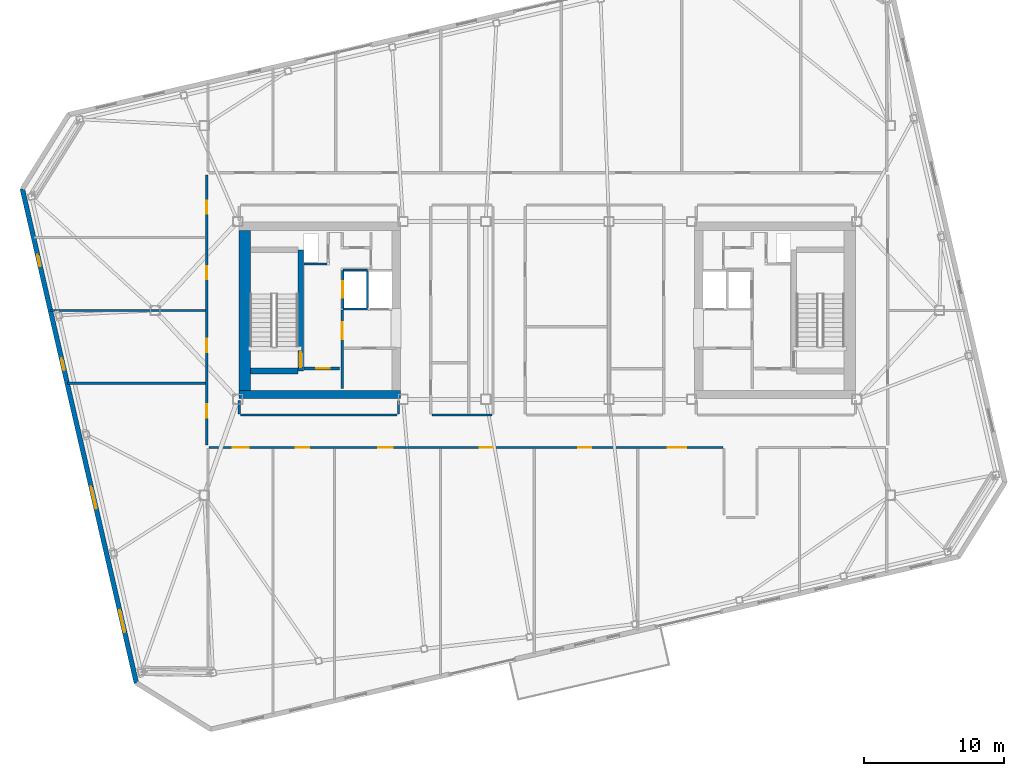
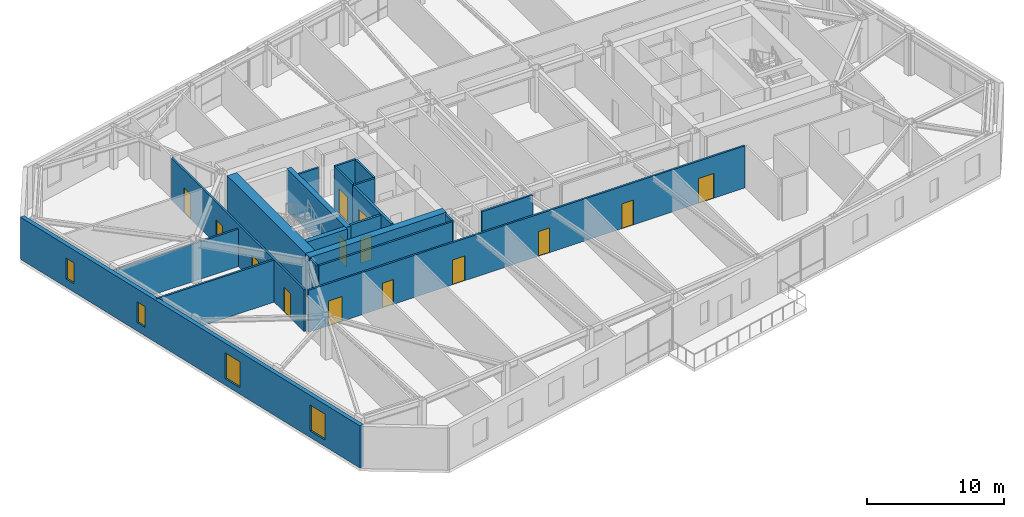
# One storey, part 16 of 24: 20 walls, 14 doors, 4 windows, 18 openings.
"""IFC4 building model written with IfcOpenShell, lengths in metres."""

from ifc_helpers import new_model, si_unit, direction, frame, frame_2d, origin, place, context, subcontext, project, spatial, rectangle, extrude, material, layer, layer_set, type_object, element, fill, save


model = new_model("IFC4")

# Units and contexts
model_context = context("Model", 3, precision=1e-05, world=origin(), true_north=direction((0.0, 1.0)))
body_context = subcontext(model_context, "Body", "Model", "MODEL_VIEW")
ifc_project = project(units=[si_unit("LENGTHUNIT", "METRE"), si_unit("AREAUNIT", "SQUARE_METRE"), si_unit("VOLUMEUNIT", "CUBIC_METRE"), si_unit("PLANEANGLEUNIT", "RADIAN"), si_unit("MASSUNIT", "GRAM", prefix="KILO")], contexts=[model_context])

# Site, building, storey
site_placement = place(None, origin())
site = spatial("IfcSite", under=ifc_project, at=site_placement, CompositionType="ELEMENT")
building_placement = place(site_placement, origin())
building = spatial("IfcBuilding", under=site, at=building_placement, Name="Tavrogorsk Clinical Tower", CompositionType="ELEMENT")
storey_placement = place(building_placement, frame((0.0, 0.0, 325.0)))
storey = spatial("IfcBuildingStorey", under=building, at=storey_placement, Name="L76", CompositionType="ELEMENT", Elevation=325.0)

# Wall, opening, door
ifc_material_1 = material(Name="Concrete B60", Category="concrete")
ifc_layer_1 = layer(ifc_material_1, 0.199951171875)
ifc_layer_set_1 = layer_set([ifc_layer_1], Name="Concrete B60")
wall_type_1 = type_object("IfcWallType", Name="CoreFireWall_200", PredefinedType="SOLIDWALL", material=ifc_layer_set_1)
wall_1_placement = place(storey_placement, frame((-17.3798828125, -4.139892578125, 0.0), z_axis=(0.0, 0.0, 1.0), x_axis=(1.0, 0.0, 0.0)))
wall_1 = element("IfcWall", 1, at=wall_1_placement, inside=storey, type_object=wall_type_1, Name="L76 Core West South Core Room Fire Wall", PredefinedType="SOLIDWALL", context=body_context, shape_type="SweptSolid", body=[
    extrude(rectangle(XDim=2.554931640625, YDim=0.199951171875, at=frame_2d((1.27734375, 0.0))), origin(), (0.0, 0.0, 1.0), 3.739990234375),
])
opening_1_placement = place(wall_1_placement, frame((0.8798828125, 0.0, 0.0)))
opening_1 = element("IfcOpeningElement", 2, at=opening_1_placement, cuts=wall_1, Name="Opening ID-02", PredefinedType="OPENING", context=body_context, shape_type="SweptSolid", body=[
    extrude(rectangle(XDim=0.949951171875, YDim=2.199951171875, at=frame_2d((0.47509765625, 1.10009765625))), frame((0.0, 0.10986328125, 0.0), z_axis=(0.0, -1.0, 0.0), x_axis=(1.0, 0.0, 0.0)), (0.0, 0.0, 1.0), 0.219970703125),
])
ifc_material_2 = material(Name="Laminated timber leaf on aluminium frame", Category="wood")
door_type_1 = type_object("IfcDoorType", Name="InteriorDoor_ID02_950", OperationType="NOTDEFINED", PredefinedType="DOOR", material=ifc_material_2)
door_1_placement = place(opening_1_placement, origin())
door_1 = element("IfcDoor", 3, at=door_1_placement, inside=storey, type_object=door_type_1, Name="L76 Core West South Core Room Door", OperationType="SINGLE_SWING_RIGHT", OverallHeight=2.199951171875, OverallWidth=0.949951171875, PredefinedType="DOOR", context=body_context, shape_type="SweptSolid", body=[
    extrude(rectangle(XDim=0.949951171875, YDim=2.199951171875, at=frame_2d((0.47509765625, 1.10009765625))), frame((0.0, 0.02490234375, 0.0), z_axis=(0.0, -1.0, 0.0), x_axis=(1.0, 0.0, 0.0)), (0.0, 0.0, 1.0), 0.050048828125),
])
fill(opening_1, door_1)

wall_2_placement = place(storey_placement, frame((-14.639892578125, -5.56005859375, 0.0), z_axis=(0.0, 0.0, 1.0), x_axis=(0.0, 1.0, 0.0)))
wall_2 = element("IfcWall", 4, at=wall_2_placement, inside=storey, type_object=wall_type_1, Name="L76 Core West Firefighting Lobby Fire Wall", PredefinedType="SOLIDWALL", context=body_context, shape_type="SweptSolid", body=[
    extrude(rectangle(XDim=5.60009765625, YDim=0.199951171875, at=frame_2d((2.800048828125, 0.0))), origin(), (0.0, 0.0, 1.0), 3.739990234375),
])
opening_2_placement = place(wall_2_placement, frame((3.510009765625, 0.0, 0.0)))
opening_2 = element("IfcOpeningElement", 5, at=opening_2_placement, cuts=wall_2, Name="Opening FD-01", PredefinedType="OPENING", context=body_context, shape_type="SweptSolid", body=[
    extrude(rectangle(XDim=1.199951171875, YDim=2.199951171875, at=frame_2d((0.60009765625, 1.10009765625))), frame((0.0, 0.10986328125, 0.0), z_axis=(0.0, -1.0, 0.0), x_axis=(1.0, 0.0, 0.0)), (0.0, 0.0, 1.0), 0.219970703125),
])
ifc_material_3 = material(Name="Galvanised steel fire-rated door assembly", Category="steel")
door_type_2 = type_object("IfcDoorType", Name="FireDoor_FD01_1200", OperationType="NOTDEFINED", PredefinedType="DOOR", material=ifc_material_3)
door_2_placement = place(opening_2_placement, origin())
door_2 = element("IfcDoor", 6, at=door_2_placement, inside=storey, type_object=door_type_2, Name="L76 Core West Firefighting Lobby Entry Door", OperationType="SINGLE_SWING_RIGHT", OverallHeight=2.199951171875, OverallWidth=1.199951171875, PredefinedType="DOOR", context=body_context, shape_type="SweptSolid", body=[
    extrude(rectangle(XDim=1.199951171875, YDim=2.199951171875, at=frame_2d((0.60009765625, 1.10009765625))), frame((0.0, 0.02490234375, 0.0), z_axis=(0.0, -1.0, 0.0), x_axis=(1.0, 0.0, 0.0)), (0.0, 0.0, 1.0), 0.050048828125),
])
fill(opening_2, door_2)

# Wall, openings, doors
ifc_material_4 = material(Name="Lightweight concrete blockwork B15", Category="masonry")
ifc_layer_2 = layer(ifc_material_4, 0.159912109375)
ifc_layer_set_2 = layer_set([ifc_layer_2], Name="Lightweight concrete blockwork B15")
wall_type_2 = type_object("IfcWallType", Name="PartitionWall_160", PredefinedType="PARTITIONING", material=ifc_layer_set_2)
wall_3_placement = place(storey_placement, frame((-24.31005859375, -9.614990234375, 0.0), z_axis=(0.0, 0.0, 1.0), x_axis=(0.0, 1.0, 0.0)))
wall_3 = element("IfcWall", 7, at=wall_3_placement, inside=storey, type_object=wall_type_2, Name="L76 Corridor Partition 01", PredefinedType="PARTITIONING", context=body_context, shape_type="SweptSolid", body=[
    extrude(rectangle(XDim=19.280029296875, YDim=0.159912109375, at=frame_2d((9.64013671875, 0.0))), origin(), (0.0, 0.0, 1.0), 3.739990234375),
])
opening_3_placement = place(wall_3_placement, frame((1.968994140625, 0.0, 0.0)))
opening_3 = element("IfcOpeningElement", 8, at=opening_3_placement, cuts=wall_3, Name="Opening ID-02", PredefinedType="OPENING", context=body_context, shape_type="SweptSolid", body=[
    extrude(rectangle(XDim=0.949951171875, YDim=2.199951171875, at=frame_2d((0.47509765625, 1.10009765625))), frame((0.0, 0.08984375, 0.0), z_axis=(0.0, -1.0, 0.0), x_axis=(1.0, 0.0, 0.0)), (0.0, 0.0, 1.0), 0.179931640625),
])
opening_4_placement = place(wall_3_placement, frame((6.625, 0.0, 0.0)))
opening_4 = element("IfcOpeningElement", 9, at=opening_4_placement, cuts=wall_3, Name="Opening ID-02", PredefinedType="OPENING", context=body_context, shape_type="SweptSolid", body=[
    extrude(rectangle(XDim=0.949951171875, YDim=2.199951171875, at=frame_2d((0.47509765625, 1.10009765625))), frame((0.0, 0.08984375, 0.0), z_axis=(0.0, -1.0, 0.0), x_axis=(1.0, 0.0, 0.0)), (0.0, 0.0, 1.0), 0.179931640625),
])
opening_5_placement = place(wall_3_placement, frame((11.824951171875, 0.0, 0.0)))
opening_5 = element("IfcOpeningElement", 10, at=opening_5_placement, cuts=wall_3, Name="Opening ID-02", PredefinedType="OPENING", context=body_context, shape_type="SweptSolid", body=[
    extrude(rectangle(XDim=0.949951171875, YDim=2.199951171875, at=frame_2d((0.47509765625, 1.10009765625))), frame((0.0, 0.08984375, 0.0), z_axis=(0.0, -1.0, 0.0), x_axis=(1.0, 0.0, 0.0)), (0.0, 0.0, 1.0), 0.179931640625),
])
opening_6_placement = place(wall_3_placement, frame((16.505859375, 0.0, 0.0)))
opening_6 = element("IfcOpeningElement", 11, at=opening_6_placement, cuts=wall_3, Name="Opening ID-02", PredefinedType="OPENING", context=body_context, shape_type="SweptSolid", body=[
    extrude(rectangle(XDim=0.949951171875, YDim=2.199951171875, at=frame_2d((0.47509765625, 1.10009765625))), frame((0.0, 0.08984375, 0.0), z_axis=(0.0, -1.0, 0.0), x_axis=(1.0, 0.0, 0.0)), (0.0, 0.0, 1.0), 0.179931640625),
])
door_3_placement = place(opening_3_placement, origin())
door_3 = element("IfcDoor", 12, at=door_3_placement, inside=storey, type_object=door_type_1, Name="L76 W Solarium Day Room & Lounge 1 Door", OperationType="SINGLE_SWING_LEFT", OverallHeight=2.199951171875, OverallWidth=0.949951171875, PredefinedType="DOOR", context=body_context, shape_type="SweptSolid", body=[
    extrude(rectangle(XDim=0.949951171875, YDim=2.199951171875, at=frame_2d((0.47509765625, 1.10009765625))), frame((0.0, 0.02490234375, 0.0), z_axis=(0.0, -1.0, 0.0), x_axis=(1.0, 0.0, 0.0)), (0.0, 0.0, 1.0), 0.050048828125),
])
fill(opening_3, door_3)
door_4_placement = place(opening_4_placement, origin())
door_4 = element("IfcDoor", 13, at=door_4_placement, inside=storey, type_object=door_type_1, Name="L76 W Rehabilitation Therapy Suite 2 Door", OperationType="SINGLE_SWING_RIGHT", OverallHeight=2.199951171875, OverallWidth=0.949951171875, PredefinedType="DOOR", context=body_context, shape_type="SweptSolid", body=[
    extrude(rectangle(XDim=0.949951171875, YDim=2.199951171875, at=frame_2d((0.47509765625, 1.10009765625))), frame((0.0, 0.02490234375, 0.0), z_axis=(0.0, -1.0, 0.0), x_axis=(1.0, 0.0, 0.0)), (0.0, 0.0, 1.0), 0.050048828125),
])
fill(opening_4, door_4)
door_5_placement = place(opening_5_placement, origin())
door_5 = element("IfcDoor", 14, at=door_5_placement, inside=storey, type_object=door_type_1, Name="L76 W Sub-Acute Observation Suite 3 Door", OperationType="SINGLE_SWING_LEFT", OverallHeight=2.199951171875, OverallWidth=0.949951171875, PredefinedType="DOOR", context=body_context, shape_type="SweptSolid", body=[
    extrude(rectangle(XDim=0.949951171875, YDim=2.199951171875, at=frame_2d((0.47509765625, 1.10009765625))), frame((0.0, 0.02490234375, 0.0), z_axis=(0.0, -1.0, 0.0), x_axis=(1.0, 0.0, 0.0)), (0.0, 0.0, 1.0), 0.050048828125),
])
fill(opening_5, door_5)
door_6_placement = place(opening_6_placement, origin())
door_6 = element("IfcDoor", 15, at=door_6_placement, inside=storey, type_object=door_type_1, Name="L76 W Family Consultation Lounge 4 Door", OperationType="SINGLE_SWING_RIGHT", OverallHeight=2.199951171875, OverallWidth=0.949951171875, PredefinedType="DOOR", context=body_context, shape_type="SweptSolid", body=[
    extrude(rectangle(XDim=0.949951171875, YDim=2.199951171875, at=frame_2d((0.47509765625, 1.10009765625))), frame((0.0, 0.02490234375, 0.0), z_axis=(0.0, -1.0, 0.0), x_axis=(1.0, 0.0, 0.0)), (0.0, 0.0, 1.0), 0.050048828125),
])
fill(opening_6, door_6)

wall_4_placement = place(storey_placement, frame((12.534912109375, -9.780029296875, 0.0), z_axis=(0.0, 0.0, 1.0), x_axis=(-1.0, 0.0, 0.0)))
wall_4 = element("IfcWall", 16, at=wall_4_placement, inside=storey, type_object=wall_type_2, Name="L76 Corridor Partition 08", PredefinedType="PARTITIONING", context=body_context, shape_type="SweptSolid", body=[
    extrude(rectangle(XDim=36.679931640625, YDim=0.159912109375, at=frame_2d((18.33984375, 0.0))), origin(), (0.0, 0.0, 1.0), 3.739990234375),
])
opening_7_placement = place(wall_4_placement, frame((33.85595703125, 0.0, 0.0)))
opening_7 = element("IfcOpeningElement", 17, at=opening_7_placement, cuts=wall_4, Name="Opening ID-06", PredefinedType="OPENING", context=body_context, shape_type="SweptSolid", body=[
    extrude(rectangle(XDim=1.14990234375, YDim=2.199951171875, at=frame_2d((0.574951171875, 1.10009765625))), frame((0.0, 0.08984375, 0.0), z_axis=(0.0, -1.0, 0.0), x_axis=(1.0, 0.0, 0.0)), (0.0, 0.0, 1.0), 0.179931640625),
])
opening_8_placement = place(wall_4_placement, frame((29.534912109375, 0.0, 0.0)))
opening_8 = element("IfcOpeningElement", 18, at=opening_8_placement, cuts=wall_4, Name="Opening ID-02", PredefinedType="OPENING", context=body_context, shape_type="SweptSolid", body=[
    extrude(rectangle(XDim=0.949951171875, YDim=2.199951171875, at=frame_2d((0.47509765625, 1.10009765625))), frame((0.0, 0.08984375, 0.0), z_axis=(0.0, -1.0, 0.0), x_axis=(1.0, 0.0, 0.0)), (0.0, 0.0, 1.0), 0.179931640625),
])
opening_9_placement = place(wall_4_placement, frame((23.554931640625, 0.0, 0.0)))
opening_9 = element("IfcOpeningElement", 19, at=opening_9_placement, cuts=wall_4, Name="Opening ID-04", PredefinedType="OPENING", context=body_context, shape_type="SweptSolid", body=[
    extrude(rectangle(XDim=1.050048828125, YDim=2.199951171875, at=frame_2d((0.52490234375, 1.10009765625))), frame((0.0, 0.08984375, 0.0), z_axis=(0.0, -1.0, 0.0), x_axis=(1.0, 0.0, 0.0)), (0.0, 0.0, 1.0), 0.179931640625),
])
opening_10_placement = place(wall_4_placement, frame((16.425048828125, 0.0, 0.0)))
opening_10 = element("IfcOpeningElement", 20, at=opening_10_placement, cuts=wall_4, Name="Opening ID-02", PredefinedType="OPENING", context=body_context, shape_type="SweptSolid", body=[
    extrude(rectangle(XDim=0.949951171875, YDim=2.199951171875, at=frame_2d((0.47509765625, 1.10009765625))), frame((0.0, 0.08984375, 0.0), z_axis=(0.0, -1.0, 0.0), x_axis=(1.0, 0.0, 0.0)), (0.0, 0.0, 1.0), 0.179931640625),
])
opening_11_placement = place(wall_4_placement, frame((9.385009765625, 0.0, 0.0)))
opening_11 = element("IfcOpeningElement", 21, at=opening_11_placement, cuts=wall_4, Name="Opening ID-02", PredefinedType="OPENING", context=body_context, shape_type="SweptSolid", body=[
    extrude(rectangle(XDim=0.949951171875, YDim=2.199951171875, at=frame_2d((0.47509765625, 1.10009765625))), frame((0.0, 0.08984375, 0.0), z_axis=(0.0, -1.0, 0.0), x_axis=(1.0, 0.0, 0.0)), (0.0, 0.0, 1.0), 0.179931640625),
])
opening_12_placement = place(wall_4_placement, frame((2.6240234375, 0.0, 0.0)))
opening_12 = element("IfcOpeningElement", 22, at=opening_12_placement, cuts=wall_4, Name="Opening ID-01", PredefinedType="OPENING", context=body_context, shape_type="SweptSolid", body=[
    extrude(rectangle(XDim=1.300048828125, YDim=2.199951171875, at=frame_2d((0.64990234375, 1.10009765625))), frame((0.0, 0.08984375, 0.0), z_axis=(0.0, -1.0, 0.0), x_axis=(1.0, 0.0, 0.0)), (0.0, 0.0, 1.0), 0.179931640625),
])
ifc_material_5 = material(Name="Antibacterial HPL consultation door on aluminium frame", Category="aluminium")
door_type_3 = type_object("IfcDoorType", Name="ConsultDoor_ID04_1050", OperationType="NOTDEFINED", PredefinedType="DOOR", material=ifc_material_5)
door_7_placement = place(opening_9_placement, origin())
door_7 = element("IfcDoor", 23, at=door_7_placement, inside=storey, type_object=door_type_3, Name="L76 South Staff Rest & Nourishment Lounge 03A Door", OperationType="SINGLE_SWING_RIGHT", OverallHeight=2.199951171875, OverallWidth=1.050048828125, PredefinedType="DOOR", context=body_context, shape_type="SweptSolid", body=[
    extrude(rectangle(XDim=1.050048828125, YDim=2.199951171875, at=frame_2d((0.52490234375, 1.10009765625))), frame((0.0, 0.02490234375, 0.0), z_axis=(0.0, -1.0, 0.0), x_axis=(1.0, 0.0, 0.0)), (0.0, 0.0, 1.0), 0.050048828125),
])
fill(opening_9, door_7)
door_8_placement = place(opening_8_placement, origin())
door_8 = element("IfcDoor", 24, at=door_8_placement, inside=storey, type_object=door_type_1, Name="L76 South Clinical Case Seminar Room 02 Door", OperationType="SINGLE_SWING_LEFT", OverallHeight=2.199951171875, OverallWidth=0.949951171875, PredefinedType="DOOR", context=body_context, shape_type="SweptSolid", body=[
    extrude(rectangle(XDim=0.949951171875, YDim=2.199951171875, at=frame_2d((0.47509765625, 1.10009765625))), frame((0.0, 0.02490234375, 0.0), z_axis=(0.0, -1.0, 0.0), x_axis=(1.0, 0.0, 0.0)), (0.0, 0.0, 1.0), 0.050048828125),
])
fill(opening_8, door_8)
door_9_placement = place(opening_10_placement, origin())
door_9 = element("IfcDoor", 25, at=door_9_placement, inside=storey, type_object=door_type_1, Name="L76 South Attending Physician Office 03B Door", OperationType="SINGLE_SWING_LEFT", OverallHeight=2.199951171875, OverallWidth=0.949951171875, PredefinedType="DOOR", context=body_context, shape_type="SweptSolid", body=[
    extrude(rectangle(XDim=0.949951171875, YDim=2.199951171875, at=frame_2d((0.47509765625, 1.10009765625))), frame((0.0, 0.02490234375, 0.0), z_axis=(0.0, -1.0, 0.0), x_axis=(1.0, 0.0, 0.0)), (0.0, 0.0, 1.0), 0.050048828125),
])
fill(opening_10, door_9)
door_10_placement = place(opening_11_placement, origin())
door_10 = element("IfcDoor", 26, at=door_10_placement, inside=storey, type_object=door_type_1, Name="L76 Terrace Recuperation Day Room & Lounge Door", OperationType="SINGLE_SWING_RIGHT", OverallHeight=2.199951171875, OverallWidth=0.949951171875, PredefinedType="DOOR", context=body_context, shape_type="SweptSolid", body=[
    extrude(rectangle(XDim=0.949951171875, YDim=2.199951171875, at=frame_2d((0.47509765625, 1.10009765625))), frame((0.0, 0.02490234375, 0.0), z_axis=(0.0, -1.0, 0.0), x_axis=(1.0, 0.0, 0.0)), (0.0, 0.0, 1.0), 0.050048828125),
])
fill(opening_11, door_10)
ifc_material_6 = material(Name="Antibacterial HPL procedure door on aluminium frame", Category="aluminium")
door_type_4 = type_object("IfcDoorType", Name="LabDoor_ID06_1150", OperationType="NOTDEFINED", PredefinedType="DOOR", material=ifc_material_6)
door_11_placement = place(opening_7_placement, origin())
door_11 = element("IfcDoor", 27, at=door_11_placement, inside=storey, type_object=door_type_4, Name="L76 South Soiled Utility & Sluice Room 01 Door", OperationType="SINGLE_SWING_RIGHT", OverallHeight=2.199951171875, OverallWidth=1.14990234375, PredefinedType="DOOR", context=body_context, shape_type="SweptSolid", body=[
    extrude(rectangle(XDim=1.14990234375, YDim=2.199951171875, at=frame_2d((0.574951171875, 1.10009765625))), frame((0.0, 0.02490234375, 0.0), z_axis=(0.0, -1.0, 0.0), x_axis=(1.0, 0.0, 0.0)), (0.0, 0.0, 1.0), 0.050048828125),
])
fill(opening_7, door_11)
ifc_material_7 = material(Name="Antibacterial HPL medical leaf on aluminium frame", Category="aluminium")
door_type_5 = type_object("IfcDoorType", Name="WardBedDoor_ID01_1300", OperationType="NOTDEFINED", PredefinedType="DOOR", material=ifc_material_7)
door_12_placement = place(opening_12_placement, origin())
door_12 = element("IfcDoor", 28, at=door_12_placement, inside=storey, type_object=door_type_5, Name="L76 South Surgical Step-Down Ward 05 Door", OperationType="SINGLE_SWING_LEFT", OverallHeight=2.199951171875, OverallWidth=1.300048828125, PredefinedType="DOOR", context=body_context, shape_type="SweptSolid", body=[
    extrude(rectangle(XDim=1.300048828125, YDim=2.199951171875, at=frame_2d((0.64990234375, 1.10009765625))), frame((0.0, 0.02490234375, 0.0), z_axis=(0.0, -1.0, 0.0), x_axis=(1.0, 0.0, 0.0)), (0.0, 0.0, 1.0), 0.050048828125),
])
fill(opening_12, door_12)

# Walls
wall_5_placement = place(storey_placement, frame((-8.235107421875, -7.469970703125, 0.0), z_axis=(0.0, 0.0, 1.0), x_axis=(1.0, 0.0, 0.0)))
element("IfcWall", 29, at=wall_5_placement, inside=storey, type_object=wall_type_2, Name="L76 Corridor Partition 22", PredefinedType="PARTITIONING", context=body_context, shape_type="SweptSolid", body=[
    extrude(rectangle(XDim=4.27001953125, YDim=0.159912109375, at=frame_2d((2.135009765625, 0.0))), origin(), (0.0, 0.0, 1.0), 3.739990234375),
])
for number, where, z_axis, x_axis, name in (
    (30, (-10.6298828125, -7.385009765625, 0.0), (0.0, 0.0, 1.0), (0.0, 1.0, 0.0), "L76 Corridor Partition 23"),
    (31, (-22.0, -6.419921875, 0.0), (0.0, 0.0, 1.0), (0.0, -1.0, 0.0), "L76 Corridor Partition 27"),
):
    element("IfcWall", number, at=place(storey_placement, frame(where, z_axis=z_axis, x_axis=x_axis)), inside=storey, type_object=wall_type_2, Name=name, PredefinedType="PARTITIONING", context=body_context, shape_type="SweptSolid", body=[
        extrude(rectangle(XDim=0.965087890625, YDim=0.159912109375, at=frame_2d((0.482421875, 0.0))), origin(), (0.0, 0.0, 1.0), 3.739990234375),
    ])
wall_6_placement = place(storey_placement, frame((-21.9150390625, -7.469970703125, 0.0), z_axis=(0.0, 0.0, 1.0), x_axis=(1.0, 0.0, 0.0)))
element("IfcWall", 32, at=wall_6_placement, inside=storey, type_object=wall_type_2, Name="L76 Corridor Partition 28", PredefinedType="PARTITIONING", context=body_context, shape_type="SweptSolid", body=[
    extrude(rectangle(XDim=11.199951171875, YDim=0.159912109375, at=frame_2d((5.60009765625, 0.0))), origin(), (0.0, 0.0, 1.0), 3.739990234375),
])
wall_7_placement = place(storey_placement, frame((-34.26171875, -5.199951171875, 0.0), z_axis=(0.0, 0.0, 1.0), x_axis=(1.0, 0.0, 0.0)))
element("IfcWall", 33, at=wall_7_placement, inside=storey, type_object=wall_type_2, Name="L76 W Wing Divider 1", PredefinedType="PARTITIONING", context=body_context, shape_type="SweptSolid", body=[
    extrude(rectangle(XDim=9.86669921875, YDim=0.159912109375, at=frame_2d((4.933349609375, 0.0))), origin(), (0.0, 0.0, 1.0), 3.739990234375),
])
wall_8_placement = place(storey_placement, frame((-35.46240234375, 0.0, 0.0), z_axis=(0.0, 0.0, 1.0), x_axis=(1.0, 0.0, 0.0)))
element("IfcWall", 34, at=wall_8_placement, inside=storey, type_object=wall_type_2, Name="L76 W Wing Divider 2", PredefinedType="PARTITIONING", context=body_context, shape_type="SweptSolid", body=[
    extrude(rectangle(XDim=11.0673828125, YDim=0.159912109375, at=frame_2d((5.53369140625, 0.0))), origin(), (0.0, 0.0, 1.0), 3.3349609375),
])

# Wall, openings, windows
ifc_material_8 = material(Name="Precast concrete B45 with limestone cladding", Category="masonry")
ifc_layer_3 = layer(ifc_material_8, 0.340087890625)
ifc_layer_set_3 = layer_set([ifc_layer_3], Name="Precast concrete B45 with limestone cladding")
wall_type_3 = type_object("IfcWallType", Name="PrecastLimestoneWall_340", PredefinedType="STANDARD", material=ifc_layer_set_3)
wall_9_placement = place(storey_placement, frame((-37.48583984375, 8.676025390625, 0.0), z_axis=(0.0, 0.0, 1.0), x_axis=(0.224953091034, -0.974369594576, 0.0)))
wall_9 = element("IfcWall", 35, at=wall_9_placement, inside=storey, type_object=wall_type_3, Name="L76 W Pleated Limestone Wing Wall", PredefinedType="STANDARD", context=body_context, shape_type="SweptSolid", body=[
    extrude(rectangle(XDim=36.199951171875, YDim=0.340087890625, at=frame_2d((18.10009765625, 0.0))), origin(), (0.0, 0.0, 1.0), 3.739990234375),
])
opening_13_placement = place(wall_9_placement, frame((4.824951171875, 0.0, 0.75)))
opening_13 = element("IfcOpeningElement", 36, at=opening_13_placement, cuts=wall_9, Name="Opening WN-06", PredefinedType="OPENING", context=body_context, shape_type="SweptSolid", body=[
    extrude(rectangle(XDim=0.85009765625, YDim=1.85009765625, at=frame_2d((0.425048828125, 0.925048828125))), frame((0.0, 0.179931640625, 0.0), z_axis=(0.0, -1.0, 0.0), x_axis=(1.0, 0.0, 0.0)), (0.0, 0.0, 1.0), 0.360107421875),
])
opening_14_placement = place(wall_9_placement, frame((12.425048828125, 0.0, 0.75)))
opening_14 = element("IfcOpeningElement", 37, at=opening_14_placement, cuts=wall_9, Name="Opening WN-06", PredefinedType="OPENING", context=body_context, shape_type="SweptSolid", body=[
    extrude(rectangle(XDim=0.85009765625, YDim=1.85009765625, at=frame_2d((0.425048828125, 0.925048828125))), frame((0.0, 0.179931640625, 0.0), z_axis=(0.0, -1.0, 0.0), x_axis=(1.0, 0.0, 0.0)), (0.0, 0.0, 1.0), 0.360107421875),
])
opening_15_placement = place(wall_9_placement, frame((21.824951171875, 0.0, 0.580078125)))
opening_15 = element("IfcOpeningElement", 38, at=opening_15_placement, cuts=wall_9, Name="Opening WN-07", PredefinedType="OPENING", context=body_context, shape_type="SweptSolid", body=[
    extrude(rectangle(XDim=1.60009765625, YDim=2.300048828125, at=frame_2d((0.800048828125, 1.14990234375))), frame((0.0, 0.179931640625, 0.0), z_axis=(0.0, -1.0, 0.0), x_axis=(1.0, 0.0, 0.0)), (0.0, 0.0, 1.0), 0.360107421875),
])
opening_16_placement = place(wall_9_placement, frame((30.875, 0.0, 0.580078125)))
opening_16 = element("IfcOpeningElement", 39, at=opening_16_placement, cuts=wall_9, Name="Opening WN-07", PredefinedType="OPENING", context=body_context, shape_type="SweptSolid", body=[
    extrude(rectangle(XDim=1.60009765625, YDim=2.300048828125, at=frame_2d((0.800048828125, 1.14990234375))), frame((0.0, 0.179931640625, 0.0), z_axis=(0.0, -1.0, 0.0), x_axis=(1.0, 0.0, 0.0)), (0.0, 0.0, 1.0), 0.360107421875),
])
ifc_material_9 = material(Name="Thermally broken aluminium frame and triple IGU", Category="aluminium")
window_type_1 = type_object("IfcWindowType", Name="MullionSubWin_850x1850", PartitioningType="SINGLE_PANEL", PredefinedType="WINDOW", material=ifc_material_9)
window_1_placement = place(opening_13_placement, origin())
window_1 = element("IfcWindow", 40, at=window_1_placement, inside=storey, type_object=window_type_1, Name="L76 W Pleat Mullion Window 1B", OverallHeight=1.85009765625, OverallWidth=0.85009765625, PartitioningType="SINGLE_PANEL", PredefinedType="WINDOW", context=body_context, shape_type="SweptSolid", body=[
    extrude(rectangle(XDim=0.85009765625, YDim=1.85009765625, at=frame_2d((0.425048828125, 0.925048828125))), frame((0.0, 0.030029296875, 0.0), z_axis=(0.0, -1.0, 0.0), x_axis=(1.0, 0.0, 0.0)), (0.0, 0.0, 1.0), 0.06005859375),
])
fill(opening_13, window_1)
window_2_placement = place(opening_14_placement, origin())
window_2 = element("IfcWindow", 41, at=window_2_placement, inside=storey, type_object=window_type_1, Name="L76 W Pleat Mullion Window 2A", OverallHeight=1.85009765625, OverallWidth=0.85009765625, PartitioningType="SINGLE_PANEL", PredefinedType="WINDOW", context=body_context, shape_type="SweptSolid", body=[
    extrude(rectangle(XDim=0.85009765625, YDim=1.85009765625, at=frame_2d((0.425048828125, 0.925048828125))), frame((0.0, 0.030029296875, 0.0), z_axis=(0.0, -1.0, 0.0), x_axis=(1.0, 0.0, 0.0)), (0.0, 0.0, 1.0), 0.06005859375),
])
fill(opening_14, window_2)
ifc_material_10 = material(Name="Thermally broken aluminium frame and triple IGU", Category="aluminium")
window_type_2 = type_object("IfcWindowType", Name="PleatSlotWin_1600x2300", PartitioningType="SINGLE_PANEL", PredefinedType="WINDOW", material=ifc_material_10)
window_3_placement = place(opening_15_placement, origin())
window_3 = element("IfcWindow", 42, at=window_3_placement, inside=storey, type_object=window_type_2, Name="L76 W Pleat Slot Window 3", OverallHeight=2.300048828125, OverallWidth=1.60009765625, PartitioningType="SINGLE_PANEL", PredefinedType="WINDOW", context=body_context, shape_type="SweptSolid", body=[
    extrude(rectangle(XDim=1.60009765625, YDim=2.300048828125, at=frame_2d((0.800048828125, 1.14990234375))), frame((0.0, 0.030029296875, 0.0), z_axis=(0.0, -1.0, 0.0), x_axis=(1.0, 0.0, 0.0)), (0.0, 0.0, 1.0), 0.06005859375),
])
fill(opening_15, window_3)
window_4_placement = place(opening_16_placement, origin())
window_4 = element("IfcWindow", 43, at=window_4_placement, inside=storey, type_object=window_type_2, Name="L76 W Pleat Slot Window 4", OverallHeight=2.300048828125, OverallWidth=1.60009765625, PartitioningType="SINGLE_PANEL", PredefinedType="WINDOW", context=body_context, shape_type="SweptSolid", body=[
    extrude(rectangle(XDim=1.60009765625, YDim=2.300048828125, at=frame_2d((0.800048828125, 1.14990234375))), frame((0.0, 0.030029296875, 0.0), z_axis=(0.0, -1.0, 0.0), x_axis=(1.0, 0.0, 0.0)), (0.0, 0.0, 1.0), 0.06005859375),
])
fill(opening_16, window_4)

# Wall, opening, door
ifc_material_11 = material(Name="Lightweight concrete blockwork B25", Category="masonry")
ifc_layer_4 = layer(ifc_material_11, 0.159912109375)
ifc_layer_set_4 = layer_set([ifc_layer_4], Name="Lightweight concrete blockwork B25")
wall_type_4 = type_object("IfcWallType", Name="ShaftWall_160", PredefinedType="PARTITIONING", material=ifc_layer_set_4)
wall_10_placement = place(storey_placement, frame((-14.60009765625, 0.1201171875, 0.0), z_axis=(0.0, 0.0, 1.0), x_axis=(0.0, 1.0, 0.0)))
wall_10 = element("IfcWall", 44, at=wall_10_placement, inside=storey, type_object=wall_type_4, Name="L76 FFL-W Firefighting Lift Front Wall", PredefinedType="PARTITIONING", context=body_context, shape_type="SweptSolid", body=[
    extrude(rectangle(XDim=2.739990234375, YDim=0.159912109375, at=frame_2d((1.3701171875, 0.0))), origin(), (0.0, 0.0, 1.0), 3.739990234375),
])
opening_17_placement = place(wall_10_placement, frame((0.77001953125, 0.0, 0.0)))
opening_17 = element("IfcOpeningElement", 45, at=opening_17_placement, cuts=wall_10, Name="Opening LD", PredefinedType="OPENING", context=body_context, shape_type="SweptSolid", body=[
    extrude(rectangle(XDim=1.199951171875, YDim=2.199951171875, at=frame_2d((0.60009765625, 1.10009765625))), frame((0.0, 0.08984375, 0.0), z_axis=(0.0, -1.0, 0.0), x_axis=(1.0, 0.0, 0.0)), (0.0, 0.0, 1.0), 0.179931640625),
])
ifc_material_12 = material(Name="Brushed stainless steel AISI 304 sliding doors", Category="steel")
door_type_6 = type_object("IfcDoorType", Name="LiftLandingDoor_LD_1200", OperationType="SLIDING_TO_LEFT", PredefinedType="DOOR", material=ifc_material_12)
door_13_placement = place(opening_17_placement, origin())
door_13 = element("IfcDoor", 46, at=door_13_placement, inside=storey, type_object=door_type_6, Name="L76 FFL-W Sliding Lift Landing Door", OperationType="SLIDING_TO_LEFT", OverallHeight=2.199951171875, OverallWidth=1.199951171875, PredefinedType="DOOR", context=body_context, shape_type="SweptSolid", body=[
    extrude(rectangle(XDim=1.199951171875, YDim=2.199951171875, at=frame_2d((0.60009765625, 1.10009765625))), frame((0.0, 0.02490234375, 0.0), z_axis=(0.0, -1.0, 0.0), x_axis=(1.0, 0.0, 0.0)), (0.0, 0.0, 1.0), 0.050048828125),
])
fill(opening_17, door_13)

# Walls
for number, where, z_axis, x_axis, name in (
    (47, (-14.60009765625, 0.10009765625, 0.0), (0.0, 0.0, 1.0), (1.0, 0.0, 0.0), "L76 FFL-W Shaft South Wall"),
    (48, (-14.60009765625, 2.8798828125, 0.0), (0.0, 0.0, 1.0), (1.0, 0.0, 0.0), "L76 FFL-W Shaft North Wall"),
):
    element("IfcWall", number, at=place(storey_placement, frame(where, z_axis=z_axis, x_axis=x_axis)), inside=storey, type_object=wall_type_4, Name=name, PredefinedType="PARTITIONING", context=body_context, shape_type="SweptSolid", body=[
        extrude(rectangle(XDim=1.760009765625, YDim=0.159912109375, at=frame_2d((0.8798828125, 0.0))), origin(), (0.0, 0.0, 1.0), 3.739990234375),
    ])
wall_11_placement = place(storey_placement, frame((-12.840087890625, 0.179931640625, 0.0), z_axis=(0.0, 0.0, 1.0), x_axis=(0.0, 1.0, 0.0)))
element("IfcWall", 49, at=wall_11_placement, inside=storey, type_object=wall_type_4, Name="L76 FFL-W Shaft Back Wall", PredefinedType="PARTITIONING", context=body_context, shape_type="SweptSolid", body=[
    extrude(rectangle(XDim=2.6201171875, YDim=0.159912109375, at=frame_2d((1.31005859375, 0.0))), origin(), (0.0, 0.0, 1.0), 3.739990234375),
])
wall_12_placement = place(storey_placement, frame((-17.3798828125, 3.320068359375, 0.0), z_axis=(0.0, 0.0, 1.0), x_axis=(1.0, 0.0, 0.0)))
element("IfcWall", 50, at=wall_12_placement, inside=storey, type_object=wall_type_4, Name="L76 Core West Riser South Wall", PredefinedType="PARTITIONING", context=body_context, shape_type="SweptSolid", body=[
    extrude(rectangle(XDim=1.65478515625, YDim=0.159912109375, at=frame_2d((0.827392578125, 0.0))), origin(), (0.0, 0.0, 1.0), 3.739990234375),
])

# Wall, opening, door
ifc_material_13 = material(Name="Concrete B80", Category="concrete")
ifc_layer_5 = layer(ifc_material_13, 0.39990234375)
ifc_layer_set_5 = layer_set([ifc_layer_5], Name="Concrete B80")
wall_type_5 = type_object("IfcWallType", Name="ShearWall_400", PredefinedType="SHEAR", material=ifc_layer_set_5)
wall_13_placement = place(storey_placement, frame((-17.60009765625, -4.324951171875, 0.0), z_axis=(0.0, 0.0, 1.0), x_axis=(0.0, 1.0, 0.0)))
wall_13 = element("IfcWall", 51, at=wall_13_placement, inside=storey, type_object=wall_type_5, Name="L76 Core West Stair Shaft Inner Shear Wall", PredefinedType="SHEAR", context=body_context, shape_type="SweptSolid", body=[
    extrude(rectangle(XDim=8.64990234375, YDim=0.39990234375, at=frame_2d((4.324951171875, 0.0))), origin(), (0.0, 0.0, 1.0), 3.739990234375),
])
opening_18_placement = place(wall_13_placement, frame((0.25, 0.0, 0.0)))
opening_18 = element("IfcOpeningElement", 52, at=opening_18_placement, cuts=wall_13, Name="Opening SD-01", PredefinedType="OPENING", context=body_context, shape_type="SweptSolid", body=[
    extrude(rectangle(XDim=1.10009765625, YDim=2.199951171875, at=frame_2d((0.550048828125, 1.10009765625))), frame((0.0, 0.2099609375, 0.0), z_axis=(0.0, -1.0, 0.0), x_axis=(1.0, 0.0, 0.0)), (0.0, 0.0, 1.0), 0.419921875),
])
ifc_material_14 = material(Name="Galvanised steel smoke-tight fire door assembly", Category="steel")
door_type_7 = type_object("IfcDoorType", Name="StairFireDoor_SD01_1100", OperationType="NOTDEFINED", PredefinedType="DOOR", material=ifc_material_14)
door_14_placement = place(opening_18_placement, origin())
door_14 = element("IfcDoor", 53, at=door_14_placement, inside=storey, type_object=door_type_7, Name="L76 ST-W Exit Stair Door", OperationType="SINGLE_SWING_LEFT", OverallHeight=2.199951171875, OverallWidth=1.10009765625, PredefinedType="DOOR", context=body_context, shape_type="SweptSolid", body=[
    extrude(rectangle(XDim=1.10009765625, YDim=2.199951171875, at=frame_2d((0.550048828125, 1.10009765625))), frame((0.0, 0.02490234375, 0.0), z_axis=(0.0, -1.0, 0.0), x_axis=(1.0, 0.0, 0.0)), (0.0, 0.0, 1.0), 0.050048828125),
])
fill(opening_18, door_14)

# Walls
wall_14_placement = place(storey_placement, frame((-21.199951171875, -4.324951171875, 0.0), z_axis=(0.0, 0.0, 1.0), x_axis=(1.0, 0.0, 0.0)))
element("IfcWall", 54, at=wall_14_placement, inside=storey, type_object=wall_type_5, Name="L76 Core West Stair Shaft South Shear Wall", PredefinedType="SHEAR", context=body_context, shape_type="SweptSolid", body=[
    extrude(rectangle(XDim=3.39990234375, YDim=0.39990234375, at=frame_2d((1.699951171875, 0.0))), origin(), (0.0, 0.0, 1.0), 3.739990234375),
])
ifc_material_15 = material(Name="Concrete B80", Category="concrete")
ifc_layer_6 = layer(ifc_material_15, 0.60009765625)
ifc_layer_set_6 = layer_set([ifc_layer_6], Name="Concrete B80")
wall_type_6 = type_object("IfcWallType", Name="ShearWall_600", PredefinedType="SHEAR", material=ifc_layer_set_6)
wall_15_placement = place(storey_placement, frame((-22.0, -6.0, 0.0), z_axis=(0.0, 0.0, 1.0), x_axis=(1.0, 0.0, 0.0)))
element("IfcWall", 55, at=wall_15_placement, inside=storey, type_object=wall_type_6, Name="L76 Core West South Shear Wall", PredefinedType="SHEAR", context=body_context, shape_type="SweptSolid", body=[
    extrude(rectangle(XDim=11.5, YDim=0.60009765625, at=frame_2d((5.75, 0.0))), origin(), (0.0, 0.0, 1.0), 3.739990234375),
])
ifc_material_16 = material(Name="Concrete B80", Category="concrete")
ifc_layer_7 = layer(ifc_material_16, 0.800048828125)
ifc_layer_set_7 = layer_set([ifc_layer_7], Name="Concrete B80")
wall_type_7 = type_object("IfcWallType", Name="ShearWall_800", PredefinedType="SHEAR", material=ifc_layer_set_7)
wall_16_placement = place(storey_placement, frame((-21.60009765625, -5.699951171875, 0.0), z_axis=(0.0, 0.0, 1.0), x_axis=(0.0, 1.0, 0.0)))
element("IfcWall", 56, at=wall_16_placement, inside=storey, type_object=wall_type_7, Name="L76 Core West End Shear Wall", PredefinedType="SHEAR", context=body_context, shape_type="SweptSolid", body=[
    extrude(rectangle(XDim=11.39990234375, YDim=0.800048828125, at=frame_2d((5.699951171875, 0.0))), origin(), (0.0, 0.0, 1.0), 3.739990234375),
])

save(model, "model.ifc")
